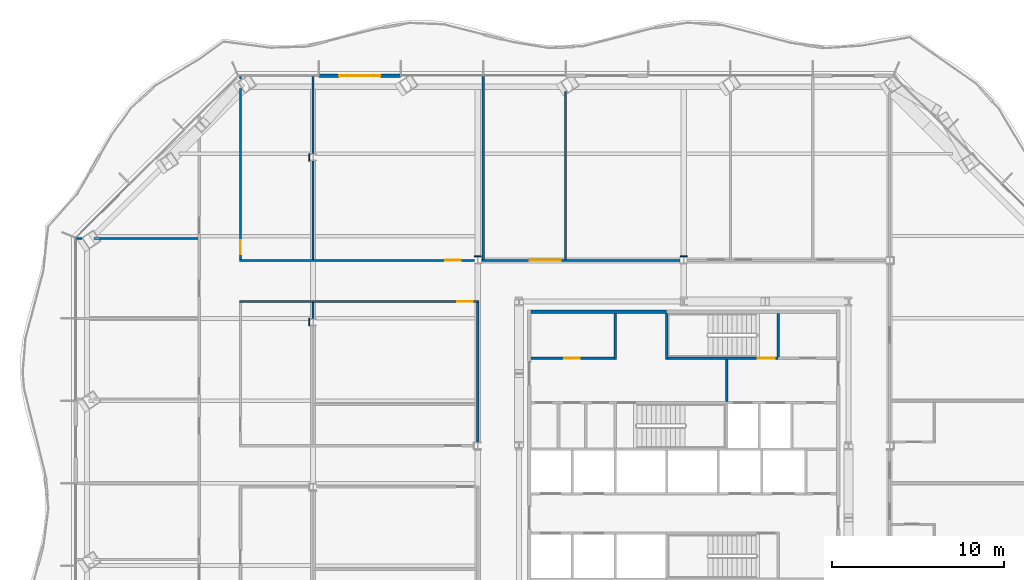
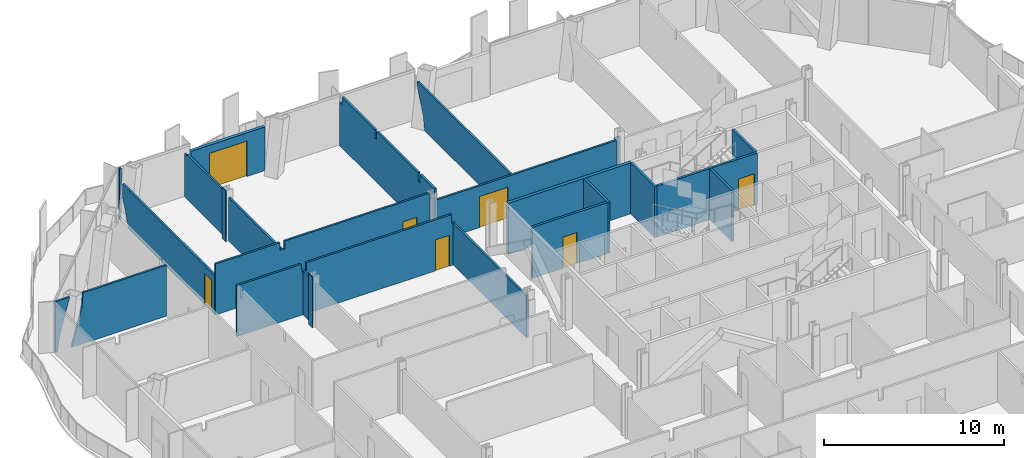
# One storey, part 11 of 19: 25 walls, 7 doors, 7 openings.
"""IFC4 building model written with IfcOpenShell, lengths in metres."""

from ifc_helpers import new_model, si_unit, direction, frame, frame_2d, origin, place, context, subcontext, project, spatial, polyline, rectangle, outline, extrude, material, layer, layer_set, type_object, element, fill, save


model = new_model("IFC4")

# Units and contexts
model_context = context("Model", 3, precision=1e-05, world=origin(), true_north=direction((0.0, 1.0)))
body_context = subcontext(model_context, "Body", "Model", "MODEL_VIEW")
ifc_project = project(units=[si_unit("LENGTHUNIT", "METRE"), si_unit("AREAUNIT", "SQUARE_METRE"), si_unit("VOLUMEUNIT", "CUBIC_METRE"), si_unit("PLANEANGLEUNIT", "RADIAN"), si_unit("MASSUNIT", "GRAM", prefix="KILO")], contexts=[model_context])

# Site, building, storey
site_placement = place(None, origin())
site = spatial("IfcSite", under=ifc_project, at=site_placement, CompositionType="ELEMENT")
building_placement = place(site_placement, origin())
building = spatial("IfcBuilding", under=site, at=building_placement, Name="Cairn Pilgrim Tower", CompositionType="ELEMENT")
storey_placement = place(building_placement, frame((0.0, 0.0, 90.60009765625)))
storey = spatial("IfcBuildingStorey", under=building, at=storey_placement, Name="L21", CompositionType="ELEMENT", Elevation=90.60009765625)

# Wall, opening, door
ifc_material_1 = material(Name="Bronze anodised aluminium insulated sandwich panel with mineral wool fill", Category="aluminium")
ifc_layer_1 = layer(ifc_material_1, 0.199951171875)
ifc_layer_set_1 = layer_set([ifc_layer_1], Name="BRONZE INFILL FRAME WALL 200")
wall_type_1 = type_object("IfcWallType", Name="BRONZE INFILL FRAME WALL 200", PredefinedType="NOTDEFINED", material=ifc_layer_set_1)
wall_1_placement = place(storey_placement, frame((-9.3095703125, 23.963623046875, 0.0), z_axis=(0.0, 0.0, 1.0), x_axis=(-1.0, 0.0, 0.0)))
wall_1 = element("IfcWall", 1, at=wall_1_placement, inside=storey, type_object=wall_type_1, Name="Bronze infill frame wall IW-N7", PredefinedType="NOTDEFINED", context=body_context, shape_type="SweptSolid", body=[
    extrude(rectangle(XDim=4.739990234375, YDim=0.199951171875, at=frame_2d((2.3701171875, 0.0))), origin(), (0.0, 0.0, 1.0), 2.949951171875),
])
opening_1_placement = place(wall_1_placement, frame((1.17041015625, 0.0, 0.0)))
opening_1 = element("IfcOpeningElement", 2, at=opening_1_placement, cuts=wall_1, Name="Opening 2116B", PredefinedType="OPENING", context=body_context, shape_type="SweptSolid", body=[
    extrude(rectangle(XDim=2.39990234375, YDim=2.39990234375, at=frame_2d((1.199951171875, 1.199951171875))), frame((0.0, 0.10986328125, 0.0), z_axis=(0.0, -1.0, 0.0), x_axis=(1.0, 0.0, 0.0)), (0.0, 0.0, 1.0), 0.219970703125),
])
ifc_material_2 = material(Name="Bronze anodised aluminium frame with tinted low-E glass", Category="aluminium")
door_type_1 = type_object("IfcDoorType", Name="BALCONY SLIDING DOOR 2400x2400", OperationType="DOUBLE_DOOR_SLIDING", PredefinedType="DOOR", material=ifc_material_2)
door_1_placement = place(opening_1_placement, origin())
door_1 = element("IfcDoor", 3, at=door_1_placement, inside=storey, type_object=door_type_1, Name="Balcony sliding door 2116B", OperationType="SINGLE_SWING_LEFT", OverallHeight=2.39990234375, OverallWidth=2.39990234375, PredefinedType="DOOR", context=body_context, shape_type="SweptSolid", body=[
    extrude(rectangle(XDim=2.39990234375, YDim=2.39990234375, at=frame_2d((1.199951171875, 1.199951171875))), frame((0.0, 0.02490234375, 0.0), z_axis=(0.0, -1.0, 0.0), x_axis=(1.0, 0.0, 0.0)), (0.0, 0.0, 1.0), 0.050048828125),
])
fill(opening_1, door_1)

# Wall
ifc_material_3 = material(Name="Concrete C32/40", Category="concrete")
ifc_layer_2 = layer(ifc_material_3, 0.199951171875)
ifc_layer_set_2 = layer_set([ifc_layer_2], Name="CORE OUTER WALL 200 EI 120")
wall_type_2 = type_object("IfcWallType", Name="CORE OUTER WALL 200 EI 120", PredefinedType="SOLIDWALL", material=ifc_layer_set_2)
wall_2_placement = place(storey_placement, frame((-1.699951171875, 10.199951171875, 0.0), z_axis=(0.0, 0.0, 1.0), x_axis=(1.0, 0.0, 0.0)))
element("IfcWall", 4, at=wall_2_placement, inside=storey, type_object=wall_type_2, Name="CW:L21:H11-1", PredefinedType="SOLIDWALL", context=body_context, shape_type="SweptSolid", body=[
    extrude(rectangle(XDim=7.89990234375, YDim=0.199951171875, at=frame_2d((3.949951171875, 0.0))), origin(), (0.0, 0.0, 1.0), 3.449951171875),
])

# Wall, opening, door
ifc_layer_3 = layer(ifc_material_3, 0.14990234375)
ifc_layer_set_3 = layer_set([ifc_layer_3], Name="CORE PARTITION 150 EI 60")
wall_type_3 = type_object("IfcWallType", Name="CORE PARTITION 150 EI 60", PredefinedType="PARTITIONING", material=ifc_layer_set_3)
wall_3_placement = place(storey_placement, frame((-1.699951171875, 7.5, 0.0), z_axis=(0.0, 0.0, 1.0), x_axis=(1.0, 0.0, 0.0)))
wall_3 = element("IfcWall", 5, at=wall_3_placement, inside=storey, type_object=wall_type_3, Name="CW:L21:H09", PredefinedType="PARTITIONING", context=body_context, shape_type="SweptSolid", body=[
    extrude(rectangle(XDim=4.824951171875, YDim=0.14990234375, at=frame_2d((2.41259765625, 0.0))), origin(), (0.0, 0.0, 1.0), 3.449951171875),
])
opening_2_placement = place(wall_3_placement, frame((1.949951171875, 0.0, 0.0)))
opening_2 = element("IfcOpeningElement", 6, at=opening_2_placement, cuts=wall_3, Name="Opening RD-R4W1", PredefinedType="OPENING", context=body_context, shape_type="SweptSolid", body=[
    extrude(rectangle(XDim=0.89990234375, YDim=2.10009765625, at=frame_2d((0.449951171875, 1.050048828125))), frame((0.0, 0.0849609375, 0.0), z_axis=(0.0, -1.0, 0.0), x_axis=(1.0, 0.0, 0.0)), (0.0, 0.0, 1.0), 0.169921875),
])
ifc_material_4 = material(Name="Painted steel", Category="steel")
door_type_2 = type_object("IfcDoorType", Name="SERVICE ROOM DOOR 900x2100", OperationType="SINGLE_SWING_LEFT", PredefinedType="DOOR", material=ifc_material_4)
door_2_placement = place(opening_2_placement, origin())
door_2 = element("IfcDoor", 7, at=door_2_placement, inside=storey, type_object=door_type_2, Name="RD-R4W1", OperationType="SINGLE_SWING_LEFT", OverallHeight=2.10009765625, OverallWidth=0.89990234375, PredefinedType="DOOR", context=body_context, shape_type="SweptSolid", body=[
    extrude(rectangle(XDim=0.89990234375, YDim=2.10009765625, at=frame_2d((0.449951171875, 1.050048828125))), frame((0.0, 0.02490234375, 0.0), z_axis=(0.0, -1.0, 0.0), x_axis=(1.0, 0.0, 0.0)), (0.0, 0.0, 1.0), 0.050048828125),
])
fill(opening_2, door_2)

# Walls
wall_4_placement = place(storey_placement, frame((3.199951171875, 7.425048828125, 0.0), z_axis=(0.0, 0.0, 1.0), x_axis=(0.0, 1.0, 0.0)))
element("IfcWall", 8, at=wall_4_placement, inside=storey, type_object=wall_type_3, Name="CW:L21:V20", PredefinedType="PARTITIONING", context=body_context, shape_type="SweptSolid", body=[
    extrude(rectangle(XDim=2.675048828125, YDim=0.14990234375, at=frame_2d((1.33740234375, 0.0))), origin(), (0.0, 0.0, 1.0), 3.449951171875),
])
ifc_layer_4 = layer(ifc_material_3, 0.14990234375)
ifc_layer_set_4 = layer_set([ifc_layer_4], Name="CORE SHAFT WALL 150 EI 120")
wall_type_4 = type_object("IfcWallType", Name="CORE SHAFT WALL 150 EI 120", PredefinedType="SOLIDWALL", material=ifc_layer_set_4)
wall_5_placement = place(storey_placement, frame((9.699951171875, 4.97509765625, 0.0), z_axis=(0.0, 0.0, 1.0), x_axis=(0.0, 1.0, 0.0)))
element("IfcWall", 9, at=wall_5_placement, inside=storey, type_object=wall_type_4, Name="CW:L21:V26", PredefinedType="SOLIDWALL", context=body_context, shape_type="SweptSolid", body=[
    extrude(rectangle(XDim=2.449951171875, YDim=0.14990234375, at=frame_2d((1.22509765625, 0.0))), origin(), (0.0, 0.0, 1.0), 3.449951171875),
])
ifc_material_5 = material(Name="Gypsum partition")
ifc_layer_5 = layer(ifc_material_5, 0.125)
ifc_layer_set_5 = layer_set([ifc_layer_5], Name="PARTITION 125 DRYWALL EI 60")
wall_type_5 = type_object("IfcWallType", Name="PARTITION 125 DRYWALL EI 60", PredefinedType="PARTITIONING", material=ifc_layer_set_5)
wall_6_placement = place(storey_placement, frame((-4.800048828125, 2.612548828125, 0.0), z_axis=(0.0, 0.0, 1.0), x_axis=(0.0, 1.0, 0.0)))
element("IfcWall", 10, at=wall_6_placement, inside=storey, type_object=wall_type_5, Name="PARTITION W052", PredefinedType="PARTITIONING", context=body_context, shape_type="SweptSolid", body=[
    extrude(rectangle(XDim=8.125, YDim=0.125, at=frame_2d((4.0625, 0.0))), origin(), (0.0, 0.0, 1.0), 2.829833984375),
])
wall_7_placement = place(storey_placement, frame((-14.39990234375, 9.8125, 0.0), z_axis=(0.0, 0.0, 1.0), x_axis=(0.0, 1.0, 0.0)))
element("IfcWall", 11, at=wall_7_placement, inside=storey, type_object=wall_type_5, Name="PARTITION W061", PredefinedType="PARTITIONING", context=body_context, shape_type="SweptSolid", body=[
    extrude(rectangle(XDim=0.925048828125, YDim=0.125, at=frame_2d((0.46240234375, 0.0))), origin(), (0.0, 0.0, 1.0), 2.929931640625),
])

# Wall, opening, door
wall_8_placement = place(storey_placement, frame((-18.6923828125, 10.800048828125, 0.0), z_axis=(0.0, 0.0, 1.0), x_axis=(1.0, 0.0, 0.0)))
wall_8 = element("IfcWall", 12, at=wall_8_placement, inside=storey, type_object=wall_type_5, Name="PARTITION W062", PredefinedType="PARTITIONING", context=body_context, shape_type="SweptSolid", body=[
    extrude(outline(polyline([(0.0, 0.0), (13.954833984375, 0.0), (13.955078125, 2.829833984375), (13.742431640625, 2.829833984375), (13.740478515625, 3.449951171875), (4.4423828125, 3.449951171875), (4.4404296875, 2.929931640625), (4.142578125, 2.929931640625), (4.140380859375, 3.449951171875), (0.0, 3.449951171875), (0.0, 0.0)])), frame((0.0, 0.0625, 0.0), z_axis=(0.0, -1.0, 0.0), x_axis=(1.0, 0.0, 0.0)), (0.0, 0.0, 1.0), 0.125),
])
opening_3_placement = place(wall_8_placement, frame((12.6923828125, 0.0, 0.0)))
opening_3 = element("IfcOpeningElement", 13, at=opening_3_placement, cuts=wall_8, Name="Opening 2128", PredefinedType="OPENING", context=body_context, shape_type="SweptSolid", body=[
    extrude(rectangle(XDim=0.89990234375, YDim=2.10009765625, at=frame_2d((0.449951171875, 1.050048828125))), frame((0.0, 0.072509765625, 0.0), z_axis=(0.0, -1.0, 0.0), x_axis=(1.0, 0.0, 0.0)), (0.0, 0.0, 1.0), 0.14501953125),
])
ifc_material_6 = material(Name="Steel-faced fire door leaf", Category="steel")
door_type_3 = type_object("IfcDoorType", Name="FIRE DOOR 900x2100 FD30S", OperationType="NOTDEFINED", PredefinedType="DOOR", material=ifc_material_6)
door_3_placement = place(opening_3_placement, frame((0.89990234375, 0.0, 0.0), z_axis=(0.0, 0.0, 1.0), x_axis=(-1.0, 0.0, 0.0)))
door_3 = element("IfcDoor", 14, at=door_3_placement, inside=storey, type_object=door_type_3, Name="DOOR 2128", OperationType="SINGLE_SWING_LEFT", OverallHeight=2.10009765625, OverallWidth=0.89990234375, PredefinedType="DOOR", context=body_context, shape_type="SweptSolid", body=[
    extrude(rectangle(XDim=0.89990234375, YDim=2.10009765625, at=frame_2d((0.449951171875, 1.050048828125))), frame((0.0, 0.02490234375, 0.0), z_axis=(0.0, -1.0, 0.0), x_axis=(1.0, 0.0, 0.0)), (0.0, 0.0, 1.0), 0.050048828125),
])
fill(opening_3, door_3)

wall_9_placement = place(storey_placement, frame((-18.6923828125, 13.199951171875, 0.0), z_axis=(0.0, 0.0, 1.0), x_axis=(1.0, 0.0, 0.0)))
wall_9 = element("IfcWall", 15, at=wall_9_placement, inside=storey, type_object=wall_type_5, Name="PARTITION W063", PredefinedType="PARTITIONING", context=body_context, shape_type="SweptSolid", body=[
    extrude(outline(polyline([(0.0, 0.0), (13.68798828125, 0.0), (13.68798828125, 3.449951171875), (4.4423828125, 3.449951171875), (4.4404296875, 2.929931640625), (4.142578125, 2.929931640625), (4.140380859375, 3.449951171875), (0.0, 3.449951171875), (0.0, 0.0)])), frame((0.0, 0.0625, 0.0), z_axis=(0.0, -1.0, 0.0), x_axis=(1.0, 0.0, 0.0)), (0.0, 0.0, 1.0), 0.125),
])
opening_4_placement = place(wall_9_placement, frame((11.992431640625, 0.0, 0.0)))
opening_4 = element("IfcOpeningElement", 16, at=opening_4_placement, cuts=wall_9, Name="Opening 2116", PredefinedType="OPENING", context=body_context, shape_type="SweptSolid", body=[
    extrude(rectangle(XDim=0.89990234375, YDim=2.10009765625, at=frame_2d((0.449951171875, 1.050048828125))), frame((0.0, 0.072509765625, 0.0), z_axis=(0.0, -1.0, 0.0), x_axis=(1.0, 0.0, 0.0)), (0.0, 0.0, 1.0), 0.14501953125),
])
door_4_placement = place(opening_4_placement, origin())
door_4 = element("IfcDoor", 17, at=door_4_placement, inside=storey, type_object=door_type_3, Name="DOOR 2116", OperationType="SINGLE_SWING_LEFT", OverallHeight=2.10009765625, OverallWidth=0.89990234375, PredefinedType="DOOR", context=body_context, shape_type="SweptSolid", body=[
    extrude(rectangle(XDim=0.89990234375, YDim=2.10009765625, at=frame_2d((0.449951171875, 1.050048828125))), frame((0.0, 0.02490234375, 0.0), z_axis=(0.0, -1.0, 0.0), x_axis=(1.0, 0.0, 0.0)), (0.0, 0.0, 1.0), 0.050048828125),
])
fill(opening_4, door_4)

wall_10_placement = place(storey_placement, frame((-4.595458984375, 13.199951171875, 0.0), z_axis=(0.0, 0.0, 1.0), x_axis=(1.0, 0.0, 0.0)))
wall_10 = element("IfcWall", 18, at=wall_10_placement, inside=storey, type_object=wall_type_5, Name="PARTITION W064", PredefinedType="PARTITIONING", context=body_context, shape_type="SweptSolid", body=[
    extrude(rectangle(XDim=11.591064453125, YDim=0.125, at=frame_2d((5.79541015625, 0.0))), origin(), (0.0, 0.0, 1.0), 2.829833984375),
])
opening_5_placement = place(wall_10_placement, frame((2.8154296875, 0.0, 0.0)))
opening_5 = element("IfcOpeningElement", 19, at=opening_5_placement, cuts=wall_10, Name="Opening 2117", PredefinedType="OPENING", context=body_context, shape_type="SweptSolid", body=[
    extrude(rectangle(XDim=1.800048828125, YDim=2.10009765625, at=frame_2d((0.89990234375, 1.050048828125))), frame((0.0, 0.072509765625, 0.0), z_axis=(0.0, -1.0, 0.0), x_axis=(1.0, 0.0, 0.0)), (0.0, 0.0, 1.0), 0.14501953125),
])
ifc_material_7 = material(Name="Timber door leaf", Category="wood")
door_type_4 = type_object("IfcDoorType", Name="DOOR PAIR 1800x2100 FD30S", OperationType="NOTDEFINED", PredefinedType="DOOR", material=ifc_material_7)
door_5_placement = place(opening_5_placement, origin())
door_5 = element("IfcDoor", 20, at=door_5_placement, inside=storey, type_object=door_type_4, Name="DOOR 2117", OperationType="DOUBLE_DOOR_SINGLE_SWING", OverallHeight=2.10009765625, OverallWidth=1.800048828125, PredefinedType="DOOR", context=body_context, shape_type="SweptSolid", body=[
    extrude(rectangle(XDim=1.800048828125, YDim=2.10009765625, at=frame_2d((0.89990234375, 1.050048828125))), frame((0.0, 0.02490234375, 0.0), z_axis=(0.0, -1.0, 0.0), x_axis=(1.0, 0.0, 0.0)), (0.0, 0.0, 1.0), 0.050048828125),
])
fill(opening_5, door_5)

wall_11_placement = place(storey_placement, frame((-18.6298828125, 13.262451171875, 0.0), z_axis=(0.0, 0.0, 1.0), x_axis=(0.0, 1.0, 0.0)))
wall_11 = element("IfcWall", 21, at=wall_11_placement, inside=storey, type_object=wall_type_5, Name="PARTITION W066", PredefinedType="PARTITIONING", context=body_context, shape_type="SweptSolid", body=[
    extrude(outline(polyline([(0.0, 0.0), (9.509765625, 0.0), (9.82177734375, 0.8623046875), (10.1787109375, 1.724853515625), (10.1787109375, 2.58740234375), (10.1787109375, 2.6298828125), (0.0, 2.6298828125), (0.0, 2.58740234375), (0.0, 1.724853515625), (0.0, 0.8623046875), (0.0, 0.0)])), frame((0.0, 0.0625, 0.0), z_axis=(0.0, -1.0, 0.0), x_axis=(1.0, 0.0, 0.0)), (0.0, 0.0, 1.0), 0.125),
])
opening_6_placement = place(wall_11_placement, frame((0.301513671875, 0.0, 0.0)))
opening_6 = element("IfcOpeningElement", 22, at=opening_6_placement, cuts=wall_11, Name="Opening 2115", PredefinedType="OPENING", context=body_context, shape_type="SweptSolid", body=[
    extrude(rectangle(XDim=0.800048828125, YDim=2.10009765625, at=frame_2d((0.39990234375, 1.050048828125))), frame((0.0, 0.072509765625, 0.0), z_axis=(0.0, -1.0, 0.0), x_axis=(1.0, 0.0, 0.0)), (0.0, 0.0, 1.0), 0.14501953125),
])
door_type_5 = type_object("IfcDoorType", Name="FIRE DOOR 800x2100 FD30S", OperationType="NOTDEFINED", PredefinedType="DOOR", material=ifc_material_6)
door_6_placement = place(opening_6_placement, frame((0.800048828125, 0.0, 0.0), z_axis=(0.0, 0.0, 1.0), x_axis=(-1.0, 0.0, 0.0)))
door_6 = element("IfcDoor", 23, at=door_6_placement, inside=storey, type_object=door_type_5, Name="DOOR 2115", OperationType="SINGLE_SWING_RIGHT", OverallHeight=2.10009765625, OverallWidth=0.800048828125, PredefinedType="DOOR", context=body_context, shape_type="SweptSolid", body=[
    extrude(rectangle(XDim=0.800048828125, YDim=2.10009765625, at=frame_2d((0.39990234375, 1.050048828125))), frame((0.0, 0.02490234375, 0.0), z_axis=(0.0, -1.0, 0.0), x_axis=(1.0, 0.0, 0.0)), (0.0, 0.0, 1.0), 0.050048828125),
])
fill(opening_6, door_6)

# Walls
wall_12_placement = place(storey_placement, frame((-14.39990234375, 13.262451171875, 0.0), z_axis=(0.0, 0.0, 1.0), x_axis=(0.0, 1.0, 0.0)))
element("IfcWall", 24, at=wall_12_placement, inside=storey, type_object=wall_type_5, Name="PARTITION W067", PredefinedType="PARTITIONING", context=body_context, shape_type="SweptSolid", body=[
    extrude(rectangle(XDim=5.72509765625, YDim=0.125, at=frame_2d((2.862548828125, 0.0))), origin(), (0.0, 0.0, 1.0), 2.929931640625),
])
wall_13_placement = place(storey_placement, frame((-4.47998046875, 13.262451171875, 0.0), z_axis=(0.0, 0.0, 1.0), x_axis=(0.0, 1.0, 0.0)))
element("IfcWall", 25, at=wall_13_placement, inside=storey, type_object=wall_type_5, Name="PARTITION W068", PredefinedType="PARTITIONING", context=body_context, shape_type="SweptSolid", body=[
    extrude(outline(polyline([(0.0, 0.0), (10.641357421875, 0.0), (10.64111328125, 2.929931640625), (10.35986328125, 2.929931640625), (10.35791015625, 3.449951171875), (6.71484375, 3.449951171875), (6.712890625, 2.8798828125), (6.5048828125, 2.8798828125), (6.502685546875, 3.449951171875), (1.914794921875, 3.449951171875), (1.912841796875, 2.8798828125), (1.704833984375, 2.8798828125), (1.702880859375, 3.449951171875), (0.08740234375, 3.449951171875), (0.08544921875, 2.829833984375), (0.0, 2.829833984375), (0.0, 0.0)])), frame((0.0, 0.0625, 0.0), z_axis=(0.0, -1.0, 0.0), x_axis=(1.0, 0.0, 0.0)), (0.0, 0.0, 1.0), 0.125),
])
wall_14_placement = place(storey_placement, frame((0.320068359375, 13.262451171875, 0.0), z_axis=(0.0, 0.0, 1.0), x_axis=(0.0, 1.0, 0.0)))
element("IfcWall", 26, at=wall_14_placement, inside=storey, type_object=wall_type_5, Name="PARTITION W069", PredefinedType="PARTITIONING", context=body_context, shape_type="SweptSolid", body=[
    extrude(outline(polyline([(0.0, 0.0), (9.528564453125, 0.0), (9.637451171875, 0.8623046875), (9.99462890625, 1.724853515625), (10.351806640625, 2.58740234375), (10.351806640625, 2.829833984375), (0.0, 2.829833984375), (0.0, 2.58740234375), (0.0, 1.724853515625), (0.0, 0.8623046875), (0.0, 0.0)])), frame((0.0, 0.0625, 0.0), z_axis=(0.0, -1.0, 0.0), x_axis=(1.0, 0.0, 0.0)), (0.0, 0.0, 1.0), 0.125),
])
wall_15_placement = place(storey_placement, frame((-28.1826171875, 14.469970703125, 0.0), z_axis=(0.0, 0.0, 1.0), x_axis=(1.0, 0.0, 0.0)))
element("IfcWall", 27, at=wall_15_placement, inside=storey, type_object=wall_type_5, Name="PARTITION W073", PredefinedType="PARTITIONING", context=body_context, shape_type="SweptSolid", body=[
    extrude(outline(polyline([(0.0, 0.0), (0.1318359375, 0.0), (0.233154296875, 0.8623046875), (0.432861328125, 1.724853515625), (0.6708984375, 2.58740234375), (0.908935546875, 3.449951171875), (0.0, 3.449951171875), (0.0, 2.58740234375), (0.0, 1.724853515625), (0.0, 0.8623046875), (0.0, 0.0)])), frame((0.0, 0.0625, 0.0), z_axis=(0.0, -1.0, 0.0), x_axis=(1.0, 0.0, 0.0)), (0.0, 0.0, 1.0), 0.125),
])
wall_16_placement = place(storey_placement, frame((-27.156005859375, 14.469970703125, 0.0), z_axis=(0.0, 0.0, 1.0), x_axis=(1.0, 0.0, 0.0)))
element("IfcWall", 28, at=wall_16_placement, inside=storey, type_object=wall_type_5, Name="PARTITION W074", PredefinedType="PARTITIONING", context=body_context, shape_type="SweptSolid", body=[
    extrude(outline(polyline([(0.0, 0.0), (6.0634765625, 0.0), (6.0634765625, 0.8623046875), (6.0634765625, 1.724853515625), (6.0634765625, 2.58740234375), (6.0634765625, 3.449951171875), (0.73486328125, 3.449951171875), (0.662841796875, 2.58740234375), (0.47607421875, 1.724853515625), (0.238037109375, 0.8623046875), (0.0, 0.0)])), frame((0.0, 0.0625, 0.0), z_axis=(0.0, -1.0, 0.0), x_axis=(1.0, 0.0, 0.0)), (0.0, 0.0, 1.0), 0.125),
])
wall_17_placement = place(storey_placement, frame((-14.39990234375, 19.41259765625, 0.0), z_axis=(0.0, 0.0, 1.0), x_axis=(0.0, 1.0, 0.0)))
element("IfcWall", 29, at=wall_17_placement, inside=storey, type_object=wall_type_5, Name="PARTITION W075", PredefinedType="PARTITIONING", context=body_context, shape_type="SweptSolid", body=[
    extrude(outline(polyline([(0.0, 0.0), (4.4912109375, 0.0), (4.4912109375, 2.929931640625), (4.209716796875, 2.929931640625), (4.207763671875, 3.02978515625), (0.0, 3.02978515625), (0.0, 0.0)])), frame((0.0, 0.0625, 0.0), z_axis=(0.0, -1.0, 0.0), x_axis=(1.0, 0.0, 0.0)), (0.0, 0.0, 1.0), 0.125),
])
wall_18_placement = place(storey_placement, frame((-18.6298828125, 23.75390625, 0.0), z_axis=(0.0, 0.0, 1.0), x_axis=(0.0, 1.0, 0.0)))
element("IfcWall", 30, at=wall_18_placement, inside=storey, type_object=wall_type_5, Name="PARTITION W076", PredefinedType="PARTITIONING", context=body_context, shape_type="SweptSolid", body=[
    extrude(outline(polyline([(0.0, 0.0), (0.14990234375, 0.0), (0.14990234375, 0.8623046875), (0.14990234375, 1.724853515625), (0.14990234375, 2.58740234375), (0.14990234375, 3.449951171875), (0.0, 3.449951171875), (0.0, 2.58740234375), (0.0, 1.724853515625), (0.0, 0.8623046875), (0.0, 0.0)])), frame((0.0, 0.0625, 0.0), z_axis=(0.0, -1.0, 0.0), x_axis=(1.0, 0.0, 0.0)), (0.0, 0.0, 1.0), 0.125),
])
ifc_layer_6 = layer(ifc_material_5, 0.050048828125)
ifc_layer_set_6 = layer_set([ifc_layer_6], Name="PARTITION 50 DRYWALL EI 60")
wall_type_6 = type_object("IfcWallType", Name="PARTITION 50 DRYWALL EI 60", PredefinedType="PARTITIONING", material=ifc_layer_set_6)
wall_19_placement = place(storey_placement, frame((-14.62939453125, 9.387451171875, 0.0), z_axis=(0.0, 0.0, 1.0), x_axis=(0.0, 1.0, 0.0)))
element("IfcWall", 31, at=wall_19_placement, inside=storey, type_object=wall_type_6, Name="COLUMN CASING WC12", PredefinedType="PARTITIONING", context=body_context, shape_type="SweptSolid", body=[
    extrude(rectangle(XDim=0.425048828125, YDim=0.050048828125, at=frame_2d((0.21240234375, 0.0))), origin(), (0.0, 0.0, 1.0), 3.449951171875),
])
for number, where, z_axis, x_axis, name in (
    (32, (-5.00439453125, 13.4375, 0.0), (0.0, 0.0, 1.0), (1.0, 0.0, 0.0), "COLUMN CASING WC15"),
    (33, (6.99560546875, 13.4375, 0.0), (0.0, 0.0, 1.0), (1.0, 0.0, 0.0), "COLUMN CASING WC16"),
):
    element("IfcWall", number, at=place(storey_placement, frame(where, z_axis=z_axis, x_axis=x_axis)), inside=storey, type_object=wall_type_6, Name=name, PredefinedType="PARTITIONING", context=body_context, shape_type="SweptSolid", body=[
        extrude(rectangle(XDim=0.408935546875, YDim=0.050048828125, at=frame_2d((0.20458984375, 0.0))), origin(), (0.0, 0.0, 1.0), 2.829833984375),
    ])
wall_20_placement = place(storey_placement, frame((-14.62939453125, 18.987548828125, 0.0), z_axis=(0.0, 0.0, 1.0), x_axis=(0.0, 1.0, 0.0)))
element("IfcWall", 34, at=wall_20_placement, inside=storey, type_object=wall_type_6, Name="COLUMN CASING WC18", PredefinedType="PARTITIONING", context=body_context, shape_type="SweptSolid", body=[
    extrude(rectangle(XDim=0.425048828125, YDim=0.050048828125, at=frame_2d((0.21240234375, 0.0))), origin(), (0.0, 0.0, 1.0), 3.449951171875),
])

# Wall, opening, door
ifc_material_8 = material(Name="Concrete C35/45", Category="concrete")
ifc_layer_7 = layer(ifc_material_8, 0.14990234375)
ifc_layer_set_7 = layer_set([ifc_layer_7], Name="STAIR SHAFT WALL 150 EI 120")
wall_type_7 = type_object("IfcWallType", Name="STAIR SHAFT WALL 150 EI 120", PredefinedType="SOLIDWALL", material=ifc_layer_set_7)
wall_21_placement = place(storey_placement, frame((6.27490234375, 7.5, 0.0), z_axis=(0.0, 0.0, 1.0), x_axis=(1.0, 0.0, 0.0)))
wall_21 = element("IfcWall", 35, at=wall_21_placement, inside=storey, type_object=wall_type_7, Name="CW:L21:H10-1", PredefinedType="SOLIDWALL", context=body_context, shape_type="SweptSolid", body=[
    extrude(rectangle(XDim=6.425048828125, YDim=0.14990234375, at=frame_2d((3.21240234375, 0.0))), origin(), (0.0, 0.0, 1.0), 3.449951171875),
])
opening_7_placement = place(wall_21_placement, frame((5.22509765625, 0.0, 0.0)))
opening_7 = element("IfcOpeningElement", 36, at=opening_7_placement, cuts=wall_21, Name="Opening SD-C", PredefinedType="OPENING", context=body_context, shape_type="SweptSolid", body=[
    extrude(rectangle(XDim=1.0, YDim=2.10009765625, at=frame_2d((0.5, 1.050048828125))), frame((0.0, 0.0849609375, 0.0), z_axis=(0.0, -1.0, 0.0), x_axis=(1.0, 0.0, 0.0)), (0.0, 0.0, 1.0), 0.169921875),
])
door_type_6 = type_object("IfcDoorType", Name="STAIR DOOR FD60S 1000x2100", OperationType="SINGLE_SWING_LEFT", PredefinedType="DOOR", material=ifc_material_4)
door_7_placement = place(opening_7_placement, origin())
door_7 = element("IfcDoor", 37, at=door_7_placement, inside=storey, type_object=door_type_6, Name="SD-C", OperationType="SINGLE_SWING_RIGHT", OverallHeight=2.10009765625, OverallWidth=1.0, PredefinedType="DOOR", context=body_context, shape_type="SweptSolid", body=[
    extrude(rectangle(XDim=1.0, YDim=2.10009765625, at=frame_2d((0.5, 1.050048828125))), frame((0.0, 0.02490234375, 0.0), z_axis=(0.0, -1.0, 0.0), x_axis=(1.0, 0.0, 0.0)), (0.0, 0.0, 1.0), 0.050048828125),
])
fill(opening_7, door_7)

# Walls
wall_22_placement = place(storey_placement, frame((6.199951171875, 7.425048828125, 0.0), z_axis=(0.0, 0.0, 1.0), x_axis=(0.0, 1.0, 0.0)))
element("IfcWall", 38, at=wall_22_placement, inside=storey, type_object=wall_type_7, Name="CW:L21:V23", PredefinedType="SOLIDWALL", context=body_context, shape_type="SweptSolid", body=[
    extrude(rectangle(XDim=2.675048828125, YDim=0.14990234375, at=frame_2d((1.33740234375, 0.0))), origin(), (0.0, 0.0, 1.0), 3.449951171875),
])
wall_23_placement = place(storey_placement, frame((12.699951171875, 7.574951171875, 0.0), z_axis=(0.0, 0.0, 1.0), x_axis=(0.0, 1.0, 0.0)))
element("IfcWall", 39, at=wall_23_placement, inside=storey, type_object=wall_type_7, Name="CW:L21:V30", PredefinedType="SOLIDWALL", context=body_context, shape_type="SweptSolid", body=[
    extrude(rectangle(XDim=2.525146484375, YDim=0.14990234375, at=frame_2d((1.2626953125, 0.0))), origin(), (0.0, 0.0, 1.0), 3.449951171875),
])

save(model, "model.ifc")
